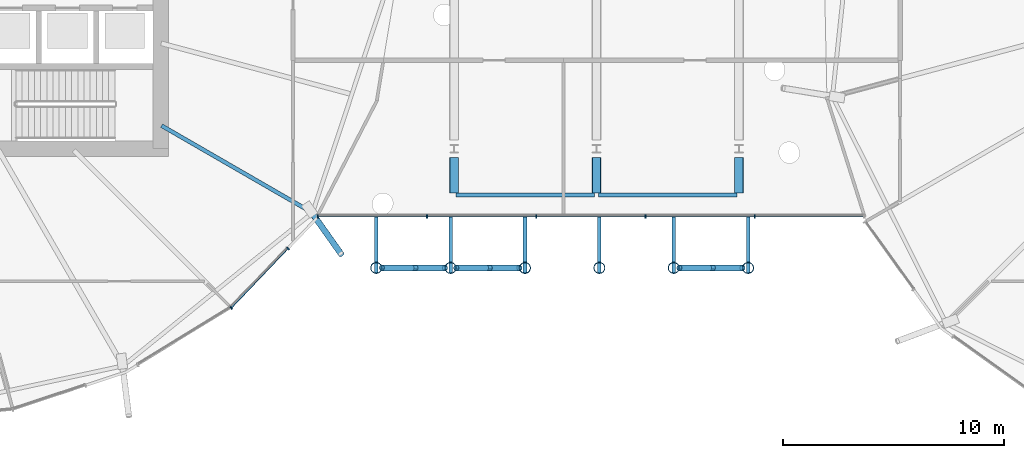
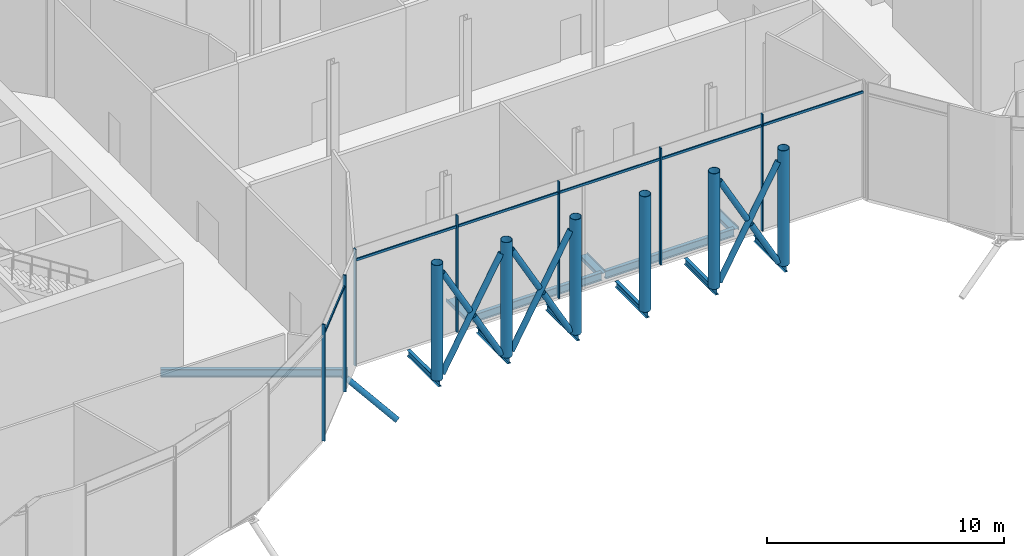
# One storey, part 5 of 38: 29 members, 12 beams, 2 elements without a shape of their own.
"""IFC4 building model written with IfcOpenShell, lengths in metres."""

from ifc_helpers import new_model, si_unit, direction, frame, origin, origin_2d, place, context, subcontext, project, spatial, rectangle, hollow_circle, i_section, extrude, clip, halfspace, material, material_profile, profile_set, type_object, element, aggregate, save


model = new_model("IFC4")

# Units and contexts
model_context = context("Model", 3, precision=1e-05, world=origin(), true_north=direction((0.0, 1.0)))
body_context = subcontext(model_context, "Body", "Model", "MODEL_VIEW")
ifc_project = project(units=[si_unit("LENGTHUNIT", "METRE"), si_unit("AREAUNIT", "SQUARE_METRE"), si_unit("VOLUMEUNIT", "CUBIC_METRE"), si_unit("PLANEANGLEUNIT", "RADIAN"), si_unit("MASSUNIT", "GRAM", prefix="KILO")], contexts=[model_context])

# Site, building, storey
site_placement = place(None, origin())
site = spatial("IfcSite", under=ifc_project, at=site_placement, CompositionType="ELEMENT")
building_placement = place(site_placement, origin())
building = spatial("IfcBuilding", under=site, at=building_placement, Name="Rimbun Link Towers", CompositionType="ELEMENT")
storey_placement = place(building_placement, frame((0.0, 0.0, 133.199951171875)))
storey = spatial("IfcBuildingStorey", under=building, at=storey_placement, Name="L32", CompositionType="ELEMENT", Elevation=133.199951171875)

# Curtain wall, members
ifc_material_1 = material(Name="Aluminium 6063-T6 and low-iron glass", Category="aluminium")
curtain_wall_type = type_object("IfcCurtainWallType", Name="CW5 full height lobby wall", PredefinedType="NOTDEFINED", material=ifc_material_1)
curtain_wall_1_placement = place(storey_placement, origin())
curtain_wall_1 = element("IfcCurtainWall", 1, at=curtain_wall_1_placement, inside=storey, type_object=curtain_wall_type, Name="CW5 L32 T1", PredefinedType="NOTDEFINED")
ifc_material_2 = material(Name="Aluminium 6063-T6", Category="aluminium")
ifc_material_profile_1 = material_profile(ifc_material_2, rectangle(XDim=0.14990234375, YDim=0.06005859375, at=origin_2d()), Name="MULLION 60X150")
ifc_profile_set_1 = profile_set([ifc_material_profile_1], Name="Aluminium 6063-T6")
member_type_1 = type_object("IfcMemberType", Name="CW5 mullion 60X150", PredefinedType="MULLION", material=ifc_profile_set_1)
member_1_placement = place(storey_placement, frame((-16.548828125, -15.212646484375, 0.0), z_axis=(0.0, 0.0, 1.0), x_axis=(0.627670674715, -0.778478981157, 0.0)))
member_1 = element("IfcMember", 2, at=member_1_placement, type_object=member_type_1, Name="CW5 mullion", PredefinedType="MULLION", context=body_context, shape_type="SweptSolid", body=[
    extrude(rectangle(XDim=0.14990234375, YDim=0.06005859375, at=origin_2d()), origin(), (0.0, 0.0, 1.0), 6.0),
])
member_2_placement = place(storey_placement, frame((-13.97314453125, -12.52685546875, 0.0), z_axis=(0.0, 0.0, 1.0), x_axis=(0.721858090698, -0.692041109252, 0.0)))
member_2 = element("IfcMember", 3, at=member_2_placement, type_object=member_type_1, Name="CW5 mullion", PredefinedType="MULLION", context=body_context, shape_type="SweptSolid", body=[
    extrude(rectangle(XDim=0.14990234375, YDim=0.06005859375, at=origin_2d()), origin(), (0.0, 0.0, 1.0), 6.0),
])

curtain_wall_2_placement = place(storey_placement, origin())
curtain_wall_2 = element("IfcCurtainWall", 4, at=curtain_wall_2_placement, inside=storey, type_object=curtain_wall_type, Name="CW5 L32 LB", PredefinedType="NOTDEFINED")
member_3_placement = place(storey_placement, frame((-7.67724609375, -11.074951171875, 0.0), z_axis=(0.0, 0.0, 1.0), x_axis=(0.0, -1.0, 0.0)))
member_3 = element("IfcMember", 5, at=member_3_placement, type_object=member_type_1, Name="CW5 mullion", PredefinedType="MULLION", context=body_context, shape_type="SweptSolid", body=[
    extrude(rectangle(XDim=0.14990234375, YDim=0.06005859375, at=origin_2d()), origin(), (0.0, 0.0, 1.0), 6.0),
])
member_4_placement = place(storey_placement, frame((-12.626953125, -11.074951171875, 0.0), z_axis=(0.0, 0.0, 1.0), x_axis=(0.0, -1.0, 0.0)))
member_4 = element("IfcMember", 6, at=member_4_placement, type_object=member_type_1, Name="CW5 mullion", PredefinedType="MULLION", context=body_context, shape_type="SweptSolid", body=[
    extrude(rectangle(XDim=0.14990234375, YDim=0.06005859375, at=origin_2d()), origin(), (0.0, 0.0, 1.0), 6.0),
])
member_5_placement = place(storey_placement, frame((-2.727783203125, -11.074951171875, 0.0), z_axis=(0.0, 0.0, 1.0), x_axis=(0.0, -1.0, 0.0)))
member_5 = element("IfcMember", 7, at=member_5_placement, type_object=member_type_1, Name="CW5 mullion", PredefinedType="MULLION", context=body_context, shape_type="SweptSolid", body=[
    extrude(rectangle(XDim=0.14990234375, YDim=0.06005859375, at=origin_2d()), origin(), (0.0, 0.0, 1.0), 6.0),
])
member_6_placement = place(storey_placement, frame((2.221923828125, -11.074951171875, 0.0), z_axis=(0.0, 0.0, 1.0), x_axis=(0.0, -1.0, 0.0)))
member_6 = element("IfcMember", 8, at=member_6_placement, type_object=member_type_1, Name="CW5 mullion", PredefinedType="MULLION", context=body_context, shape_type="SweptSolid", body=[
    extrude(rectangle(XDim=0.14990234375, YDim=0.06005859375, at=origin_2d()), origin(), (0.0, 0.0, 1.0), 6.0),
])
member_7_placement = place(storey_placement, frame((7.171630859375, -11.074951171875, 0.0), z_axis=(0.0, 0.0, 1.0), x_axis=(0.0, -1.0, 0.0)))
member_7 = element("IfcMember", 9, at=member_7_placement, type_object=member_type_1, Name="CW5 mullion", PredefinedType="MULLION", context=body_context, shape_type="SweptSolid", body=[
    extrude(rectangle(XDim=0.14990234375, YDim=0.06005859375, at=origin_2d()), origin(), (0.0, 0.0, 1.0), 6.0),
])

# Member
ifc_material_3 = material(Name="Aluminium 6063-T6", Category="aluminium")
ifc_material_profile_2 = material_profile(ifc_material_3, rectangle(XDim=0.06005859375, YDim=0.1201171875, at=origin_2d()), Name="TRANSOM 60X120")
ifc_profile_set_2 = profile_set([ifc_material_profile_2], Name="Aluminium 6063-T6")
member_type_2 = type_object("IfcMemberType", Name="CW5 transom 60X120", PredefinedType="USERDEFINED", material=ifc_profile_set_2)
member_8_placement = place(storey_placement, frame((-14.003173828125, -12.53955078125, 5.400146484375), z_axis=(-0.692040396922, -0.721858773603, 0.0), x_axis=(0.721858773603, -0.692040396922, 0.0)))
member_8 = element("IfcMember", 10, at=member_8_placement, type_object=member_type_2, Name="CW5 transom", ObjectType="TRANSOM", PredefinedType="USERDEFINED", context=body_context, shape_type="SweptSolid", body=[
    extrude(rectangle(XDim=0.06005859375, YDim=0.1201171875, at=origin_2d()), origin(), (0.0, 0.0, 1.0), 3.651611328125),
])

aggregate(curtain_wall_1, [member_1, member_2, member_8])

member_9_placement = place(storey_placement, frame((-7.707275390625, -11.06201171875, 5.400146484375), z_axis=(-1.0, 0.0, 0.0), x_axis=(0.0, -1.0, 0.0)))
member_9 = element("IfcMember", 11, at=member_9_placement, type_object=member_type_2, Name="CW5 transom", ObjectType="TRANSOM", PredefinedType="USERDEFINED", context=body_context, shape_type="SweptSolid", body=[
    extrude(rectangle(XDim=0.06005859375, YDim=0.1201171875, at=origin_2d()), origin(), (0.0, 0.0, 1.0), 4.8896484375),
])

member_10_placement = place(storey_placement, frame((-2.757568359375, -11.06201171875, 5.400146484375), z_axis=(-1.0, 0.0, 0.0), x_axis=(0.0, -1.0, 0.0)))
member_10 = element("IfcMember", 12, at=member_10_placement, type_object=member_type_2, Name="CW5 transom", ObjectType="TRANSOM", PredefinedType="USERDEFINED", context=body_context, shape_type="SweptSolid", body=[
    extrude(rectangle(XDim=0.06005859375, YDim=0.1201171875, at=origin_2d()), origin(), (0.0, 0.0, 1.0), 4.8896484375),
])

member_11_placement = place(storey_placement, frame((2.19189453125, -11.06201171875, 5.400146484375), z_axis=(-1.0, 0.0, 0.0), x_axis=(0.0, -1.0, 0.0)))
member_11 = element("IfcMember", 13, at=member_11_placement, type_object=member_type_2, Name="CW5 transom", ObjectType="TRANSOM", PredefinedType="USERDEFINED", context=body_context, shape_type="SweptSolid", body=[
    extrude(rectangle(XDim=0.06005859375, YDim=0.1201171875, at=origin_2d()), origin(), (0.0, 0.0, 1.0), 4.8896484375),
])

member_12_placement = place(storey_placement, frame((7.1416015625, -11.06201171875, 5.400146484375), z_axis=(-1.0, 0.0, 0.0), x_axis=(0.0, -1.0, 0.0)))
member_12 = element("IfcMember", 14, at=member_12_placement, type_object=member_type_2, Name="CW5 transom", ObjectType="TRANSOM", PredefinedType="USERDEFINED", context=body_context, shape_type="SweptSolid", body=[
    extrude(rectangle(XDim=0.06005859375, YDim=0.1201171875, at=origin_2d()), origin(), (0.0, 0.0, 1.0), 4.8896484375),
])

member_13_placement = place(storey_placement, frame((12.09130859375, -11.06201171875, 5.400146484375), z_axis=(-1.0, 0.0, 0.0), x_axis=(0.0, -1.0, 0.0)))
member_13 = element("IfcMember", 15, at=member_13_placement, type_object=member_type_2, Name="CW5 transom", ObjectType="TRANSOM", PredefinedType="USERDEFINED", context=body_context, shape_type="SweptSolid", body=[
    extrude(rectangle(XDim=0.06005859375, YDim=0.1201171875, at=origin_2d()), origin(), (0.0, 0.0, 1.0), 4.8896484375),
])

aggregate(curtain_wall_2, [member_3, member_4, member_5, member_6, member_7, member_9, member_10, member_11, member_12, member_13])

# Beams
ifc_material_4 = material(Name="Steel S355J2", Category="steel")
ifc_material_profile_3 = material_profile(ifc_material_4, i_section(OverallWidth=0.1650390625, OverallDepth=0.303466796875, WebThickness=0.006103515625, FlangeThickness=0.01025390625, at=origin_2d()), Name="UB 305x165x40")
ifc_profile_set_3 = profile_set([ifc_material_profile_3], Name="Steel S355J2")
beam_type_1 = type_object("IfcBeamType", Name="Capsule bracket beam UB 305x165x40", PredefinedType="BEAM", material=ifc_profile_set_3)
for number, where, z_axis, x_axis, name in (
    (16, (-9.97802734375, -11.0, -0.311767578125), (0.0, -1.0, 0.0), (1.0, 0.0, 0.0), "Link megaframe outrigger S0"),
    (17, (-6.609130859375, -11.0, -0.311767578125), (0.0, -1.0, 0.0), (1.0, 0.0, 0.0), "Link megaframe outrigger S1"),
    (18, (-3.239990234375, -11.0, -0.311767578125), (0.0, -1.0, 0.0), (1.0, 0.0, 0.0), "Link megaframe outrigger S2"),
    (19, (0.12890625, -11.0, -0.311767578125), (0.0, -1.0, 0.0), (1.0, 0.0, 0.0), "Link megaframe outrigger S3"),
    (20, (3.497802734375, -11.0, -0.311767578125), (0.0, -1.0, 0.0), (1.0, 0.0, 0.0), "Link megaframe outrigger S4"),
    (21, (6.86669921875, -11.0, -0.311767578125), (0.0, -1.0, 0.0), (1.0, 0.0, 0.0), "Link megaframe outrigger S5"),
):
    element("IfcBeam", number, at=place(storey_placement, frame(where, z_axis=z_axis, x_axis=x_axis)), inside=storey, type_object=beam_type_1, Name=name, PredefinedType="BEAM", context=body_context, shape_type="SweptSolid", body=[
        extrude(i_section(OverallWidth=0.1650390625, OverallDepth=0.303466796875, WebThickness=0.006103515625, FlangeThickness=0.01025390625, at=origin_2d()), origin(), (0.0, 0.0, 1.0), 2.654052734375),
    ])

# Member
ifc_material_5 = material(Name="Steel S355J2H", Category="steel")
ifc_material_profile_4 = material_profile(ifc_material_5, hollow_circle(Radius=0.136474609375, WallThickness=0.012451171875, at=origin_2d()), Name="CHS 273x12.5")
ifc_profile_set_4 = profile_set([ifc_material_profile_4], Name="Steel S355J2H")
member_type_3 = type_object("IfcMemberType", Name="Floor edge link CHS 273x12.5", PredefinedType="BRACE", material=ifc_profile_set_4)
member_14_placement = place(storey_placement, frame((-12.909423828125, -10.877685546875, -0.7021484375), z_axis=(0.490937524555, -0.693295918192, -0.527561481537), x_axis=(0.816106138335, 0.577902042713, 0.0)))
element("IfcMember", 22, at=member_14_placement, inside=storey, type_object=member_type_3, Name="Floor edge link T1 L32 22", PredefinedType="BRACE", context=body_context, shape_type="Clipping", body=[
    clip(extrude(hollow_circle(Radius=0.136474609375, WallThickness=0.012451171875, at=origin_2d()), frame((0.0, 0.0, -0.45849609375)), (0.0, 0.0, 1.0), 3.22509765625), halfspace(frame((0.0, 0.0, -0.2158203125), z_axis=(0.0, 0.849516852804, -0.527561481537)), False)),
])

# Beams
ifc_material_6 = material(Name="Steel S355J2", Category="steel")
ifc_material_profile_5 = material_profile(ifc_material_6, i_section(OverallWidth=0.177978515625, OverallDepth=0.406494140625, WebThickness=0.0078125, FlangeThickness=0.0126953125, at=origin_2d()), Name="UKB 406x178x60")
ifc_profile_set_5 = profile_set([ifc_material_profile_5], Name="Steel S355J2")
beam_type_2 = type_object("IfcBeamType", Name="Link floor beam UKB 406x178x60", PredefinedType="BEAM", material=ifc_profile_set_5)
for number, where, z_axis, x_axis, name in (
    (23, (-6.449951171875, -10.010986328125, -0.363037109375), (0.0, 1.0, 0.0), (0.0, 0.0, 1.0), "Link floor beam L32 00"),
    (24, (0.0, -10.010986328125, -0.363037109375), (0.0, 1.0, 0.0), (0.0, 0.0, 1.0), "Link floor beam L32 04"),
    (25, (6.449951171875, -10.010986328125, -0.363037109375), (0.0, 1.0, 0.0), (0.0, 0.0, 1.0), "Link floor beam L32 08"),
):
    element("IfcBeam", number, at=place(storey_placement, frame(where, z_axis=z_axis, x_axis=x_axis)), inside=storey, type_object=beam_type_2, Name=name, PredefinedType="BEAM", context=body_context, shape_type="SweptSolid", body=[
        extrude(i_section(OverallWidth=0.177978515625, OverallDepth=0.406494140625, WebThickness=0.0078125, FlangeThickness=0.0126953125, at=origin_2d()), origin(), (0.0, 0.0, 1.0), 1.611083984375),
    ])
for number, where, z_axis, x_axis, name in (
    (26, (-6.361083984375, -10.10009765625, -0.363037109375), (1.0, 0.0, 0.0), (0.0, 1.0, 0.0), "Link edge beam L32 12"),
    (27, (0.089111328125, -10.10009765625, -0.363037109375), (1.0, 0.0, 0.0), (0.0, 1.0, 0.0), "Link edge beam L32 13"),
):
    element("IfcBeam", number, at=place(storey_placement, frame(where, z_axis=z_axis, x_axis=x_axis)), inside=storey, type_object=beam_type_2, Name=name, PredefinedType="BEAM", context=body_context, shape_type="SweptSolid", body=[
        extrude(i_section(OverallWidth=0.177978515625, OverallDepth=0.406494140625, WebThickness=0.0078125, FlangeThickness=0.0126953125, at=origin_2d()), origin(), (0.0, 0.0, 1.0), 6.27197265625),
    ])

# Members
ifc_material_7 = material(Name="Steel S355J2H", Category="steel")
ifc_material_profile_6 = material_profile(ifc_material_7, hollow_circle(Radius=0.136474609375, WallThickness=0.012451171875, at=origin_2d()), Name="CHS 273x12.5")
ifc_profile_set_6 = profile_set([ifc_material_profile_6], Name="Steel S355J2H")
member_type_4 = type_object("IfcMemberType", Name="Link megaframe brace CHS 273x12.5", PredefinedType="BRACE", material=ifc_profile_set_6)
member_15_placement = place(storey_placement, frame((-9.72412109375, -13.39990234375, -0.010009765625), z_axis=(0.482949873443, 0.0, 0.875647999907), x_axis=(0.0, 1.0, 0.0)))
element("IfcMember", 28, at=member_15_placement, inside=storey, type_object=member_type_4, Name="Link megaframe brace S0-1 bay 1.1", PredefinedType="BRACE", context=body_context, shape_type="SweptSolid", body=[
    extrude(hollow_circle(Radius=0.136474609375, WallThickness=0.012451171875, at=origin_2d()), origin(), (0.0, 0.0, 1.0), 5.924072265625),
])
member_16_placement = place(storey_placement, frame((-6.863037109375, -13.39990234375, -0.010009765625), z_axis=(-0.482930913822, 0.0, 0.87565845652), x_axis=(0.0, -1.0, 0.0)))
element("IfcMember", 29, at=member_16_placement, inside=storey, type_object=member_type_4, Name="Link megaframe brace S0-1 bay 1.2a", PredefinedType="BRACE", context=body_context, shape_type="SweptSolid", body=[
    extrude(hollow_circle(Radius=0.136474609375, WallThickness=0.012451171875, at=origin_2d()), origin(), (0.0, 0.0, 1.0), 2.77685546875),
])
member_17_placement = place(storey_placement, frame((-8.3828125, -13.39990234375, 2.745849609375), z_axis=(-0.482998322722, 0.0, 0.875621276722), x_axis=(0.0, -1.0, 0.0)))
element("IfcMember", 30, at=member_17_placement, inside=storey, type_object=member_type_4, Name="Link megaframe brace S0-1 bay 1.2b", PredefinedType="BRACE", context=body_context, shape_type="SweptSolid", body=[
    extrude(hollow_circle(Radius=0.136474609375, WallThickness=0.012451171875, at=origin_2d()), origin(), (0.0, 0.0, 1.0), 2.777099609375),
])
member_18_placement = place(storey_placement, frame((-6.35498046875, -13.39990234375, -0.010009765625), z_axis=(0.482918273697, 0.0, 0.875665427506), x_axis=(0.0, 1.0, 0.0)))
element("IfcMember", 31, at=member_18_placement, inside=storey, type_object=member_type_4, Name="Link megaframe brace S1-2 bay 1.1", PredefinedType="BRACE", context=body_context, shape_type="SweptSolid", body=[
    extrude(hollow_circle(Radius=0.136474609375, WallThickness=0.012451171875, at=origin_2d()), origin(), (0.0, 0.0, 1.0), 5.924072265625),
])
for number, where, z_axis, x_axis, name in (
    (32, (-3.494140625, -13.39990234375, -0.010009765625), (-0.482930913822, 0.0, 0.87565845652), (0.0, -1.0, 0.0), "Link megaframe brace S1-2 bay 1.2a"),
    (33, (-5.013916015625, -13.39990234375, 2.745849609375), (-0.482930913822, 0.0, 0.87565845652), (0.0, -1.0, 0.0), "Link megaframe brace S1-2 bay 1.2b"),
):
    element("IfcMember", number, at=place(storey_placement, frame(where, z_axis=z_axis, x_axis=x_axis)), inside=storey, type_object=member_type_4, Name=name, PredefinedType="BRACE", context=body_context, shape_type="SweptSolid", body=[
        extrude(hollow_circle(Radius=0.136474609375, WallThickness=0.012451171875, at=origin_2d()), origin(), (0.0, 0.0, 1.0), 2.77685546875),
    ])
member_19_placement = place(storey_placement, frame((3.751708984375, -13.39990234375, -0.010009765625), z_axis=(0.482949873443, 0.0, 0.875647999907), x_axis=(0.0, 1.0, 0.0)))
element("IfcMember", 34, at=member_19_placement, inside=storey, type_object=member_type_4, Name="Link megaframe brace S4-5 bay 1.1", PredefinedType="BRACE", context=body_context, shape_type="SweptSolid", body=[
    extrude(hollow_circle(Radius=0.136474609375, WallThickness=0.012451171875, at=origin_2d()), origin(), (0.0, 0.0, 1.0), 5.924072265625),
])
for number, where, z_axis, x_axis, name in (
    (35, (6.61279296875, -13.39990234375, -0.010009765625), (-0.482998322722, 0.0, 0.875621276722), (0.0, -1.0, 0.0), "Link megaframe brace S4-5 bay 1.2a"),
    (36, (5.093017578125, -13.39990234375, 2.745849609375), (-0.482998322722, 0.0, 0.875621276722), (0.0, -1.0, 0.0), "Link megaframe brace S4-5 bay 1.2b"),
):
    element("IfcMember", number, at=place(storey_placement, frame(where, z_axis=z_axis, x_axis=x_axis)), inside=storey, type_object=member_type_4, Name=name, PredefinedType="BRACE", context=body_context, shape_type="SweptSolid", body=[
        extrude(hollow_circle(Radius=0.136474609375, WallThickness=0.012451171875, at=origin_2d()), origin(), (0.0, 0.0, 1.0), 2.777099609375),
    ])
ifc_material_8 = material(Name="Steel S355J2H", Category="steel")
ifc_material_profile_7 = material_profile(ifc_material_8, hollow_circle(Radius=0.25390625, WallThickness=0.02001953125, at=origin_2d()), Name="CHS 508x20")
ifc_profile_set_7 = profile_set([ifc_material_profile_7], Name="Steel S355J2H")
member_type_5 = type_object("IfcMemberType", Name="Link megaframe post CHS 508x20", PredefinedType="POST", material=ifc_profile_set_7)
for number, where, z_axis, x_axis, name in (
    (37, (-9.97802734375, -13.39990234375, -0.159912109375), (0.0, 0.0, 1.0), (1.0, 0.0, 0.0), "Link megaframe post S0 bay 1"),
    (38, (-6.609130859375, -13.39990234375, -0.159912109375), (0.0, 0.0, 1.0), (1.0, 0.0, 0.0), "Link megaframe post S1 bay 1"),
    (39, (-3.239990234375, -13.39990234375, -0.159912109375), (0.0, 0.0, 1.0), (1.0, 0.0, 0.0), "Link megaframe post S2 bay 1"),
    (40, (0.12890625, -13.39990234375, -0.159912109375), (0.0, 0.0, 1.0), (1.0, 0.0, 0.0), "Link megaframe post S3 bay 1"),
    (41, (3.497802734375, -13.39990234375, -0.159912109375), (0.0, 0.0, 1.0), (1.0, 0.0, 0.0), "Link megaframe post S4 bay 1"),
    (42, (6.86669921875, -13.39990234375, -0.159912109375), (0.0, 0.0, 1.0), (1.0, 0.0, 0.0), "Link megaframe post S5 bay 1"),
):
    element("IfcMember", number, at=place(storey_placement, frame(where, z_axis=z_axis, x_axis=x_axis)), inside=storey, type_object=member_type_5, Name=name, PredefinedType="POST", context=body_context, shape_type="SweptSolid", body=[
        extrude(hollow_circle(Radius=0.25390625, WallThickness=0.02001953125, at=origin_2d()), origin(), (0.0, 0.0, 1.0), 5.93994140625),
    ])

# Beam
ifc_material_9 = material(Name="Steel S355J2", Category="steel")
ifc_material_profile_8 = material_profile(ifc_material_9, i_section(OverallWidth=0.177978515625, OverallDepth=0.406494140625, WebThickness=0.0078125, FlangeThickness=0.0126953125, at=origin_2d()), Name="UB 406x178x60")
ifc_profile_set_8 = profile_set([ifc_material_profile_8], Name="Steel S355J2")
beam_type_3 = type_object("IfcBeamType", Name="UB 406x178x60", PredefinedType="BEAM", material=ifc_profile_set_8)
beam_placement = place(storey_placement, frame((-19.70458984375, -6.954345703125, -0.383056640625), z_axis=(0.866019794698, -0.500009715097, 0.0), x_axis=(0.500009715097, 0.866019794698, 0.0)))
element("IfcBeam", 43, at=beam_placement, inside=storey, type_object=beam_type_3, Name="Radial beam T1 L32 22", PredefinedType="BEAM", context=body_context, shape_type="SweptSolid", body=[
    extrude(i_section(OverallWidth=0.177978515625, OverallDepth=0.406494140625, WebThickness=0.0078125, FlangeThickness=0.0126953125, at=origin_2d()), origin(), (0.0, 0.0, 1.0), 7.896240234375),
])

save(model, "model.ifc")
